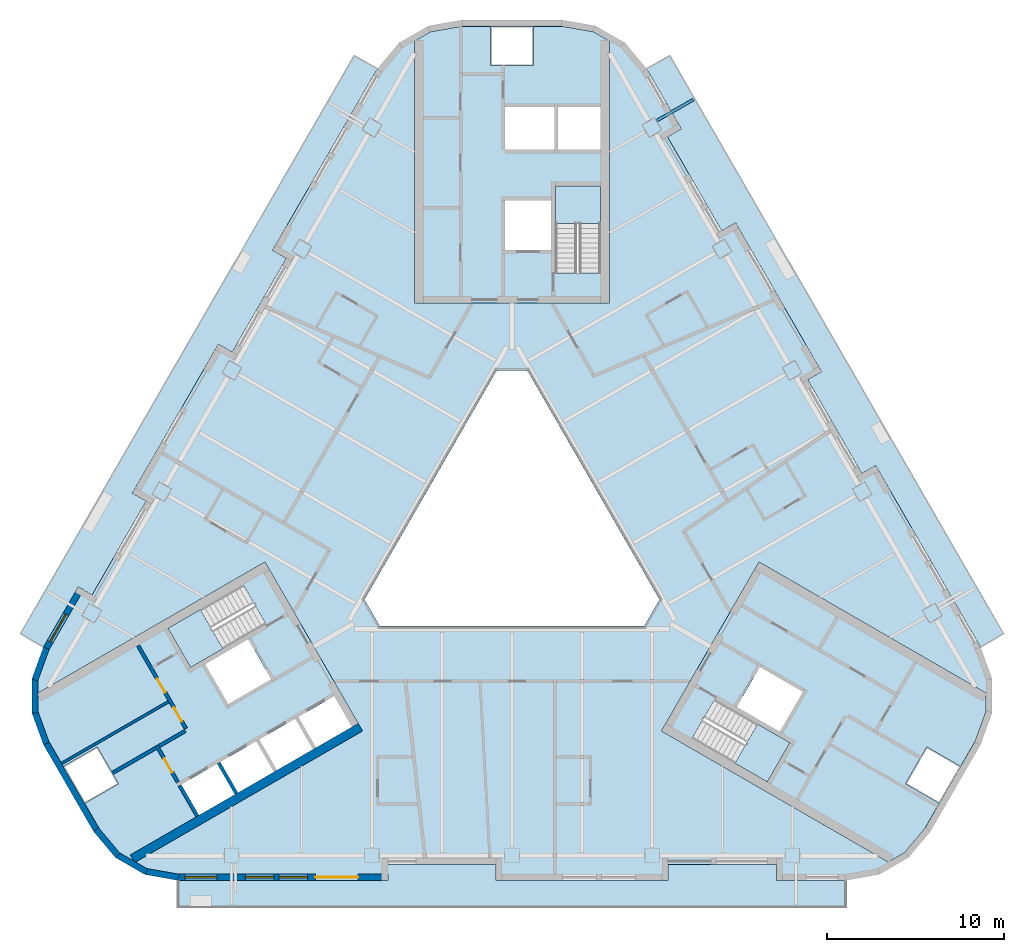
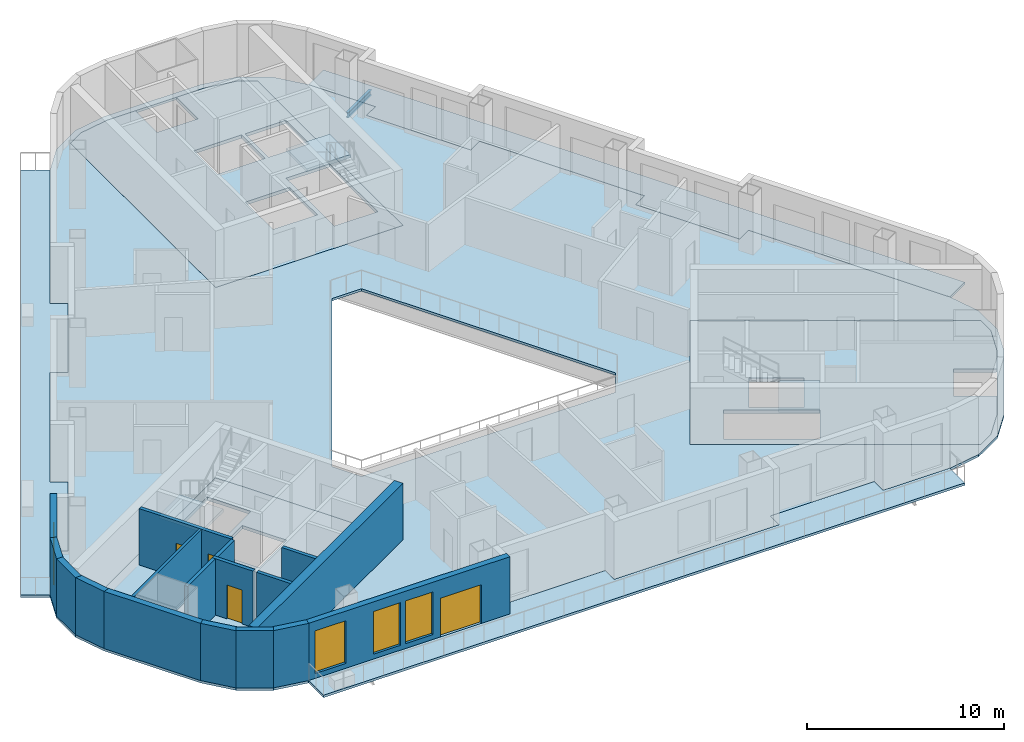
# One storey, part 2 of 13: 17 walls, 10 slabs, 4 doors, 4 windows, 1 beam, 8 openings, 3 elements without a shape of their own.
"""IFC4 building model written with IfcOpenShell, lengths in metres."""

from ifc_helpers import new_model, si_unit, direction, frame, frame_2d, origin, origin_2d, place, context, subcontext, project, spatial, polyline, rectangle, i_section, outline, extrude, material, layer, layer_set, material_profile, profile_set, type_object, element, fill, aggregate, save


model = new_model("IFC4")

# Units and contexts
model_context = context("Model", 3, precision=1e-05, world=origin(), true_north=direction((0.0, 1.0)))
body_context = subcontext(model_context, "Body", "Model", "MODEL_VIEW")
ifc_project = project(units=[si_unit("LENGTHUNIT", "METRE"), si_unit("AREAUNIT", "SQUARE_METRE"), si_unit("VOLUMEUNIT", "CUBIC_METRE"), si_unit("PLANEANGLEUNIT", "RADIAN"), si_unit("MASSUNIT", "GRAM", prefix="KILO")], contexts=[model_context])

# Site, building, storey
site_placement = place(None, origin())
site = spatial("IfcSite", under=ifc_project, at=site_placement, CompositionType="ELEMENT")
building_placement = place(site_placement, origin())
building = spatial("IfcBuilding", under=site, at=building_placement, Name="Apuvela Tower Hotel", CompositionType="ELEMENT")
storey_placement = place(building_placement, frame((0.0, 0.0, 165.10009765625)))
storey = spatial("IfcBuildingStorey", under=building, at=storey_placement, Name="L39", CompositionType="ELEMENT", Elevation=165.10009765625)

# Beam
ifc_material_1 = material(Name="Steel S355", Category="steel")
ifc_material_profile = material_profile(ifc_material_1, i_section(OverallWidth=0.159912109375, OverallDepth=0.330078125, WebThickness=0.007568359375, FlangeThickness=0.011474609375, at=origin_2d()), Name="IPE 330")
ifc_profile_set = profile_set([ifc_material_profile], Name="Steel S355")
beam_type = type_object("IfcBeamType", Name="ENV-BALCONY-BEAM-IPE330", PredefinedType="BEAM", material=ifc_profile_set)
beam_placement = place(storey_placement, frame((8.15576171875, 23.183837890625, -0.315185546875), z_axis=(0.866007538022, 0.500030943131, 0.0), x_axis=(-0.500030943131, 0.866007538022, 0.0)))
element("IfcBeam", 1, at=beam_placement, inside=storey, type_object=beam_type, Name="Balcony cantilever beam NE3 L39", PredefinedType="BEAM", context=body_context, shape_type="SweptSolid", body=[
    extrude(i_section(OverallWidth=0.159912109375, OverallDepth=0.330078125, WebThickness=0.007568359375, FlangeThickness=0.011474609375, at=origin_2d()), origin(), (0.0, 0.0, 1.0), 2.374755859375),
])

# Slabs
ifc_material_2 = material(Name="Concrete C50/60", Category="concrete")
ifc_layer_1 = layer(ifc_material_2, 0.199951171875)
ifc_layer_set_1 = layer_set([ifc_layer_1], Name="COR-FLOOR-200")
slab_type_1 = type_object("IfcSlabType", Name="COR-FLOOR-200", PredefinedType="FLOOR", material=ifc_layer_set_1)
slab_1_placement = place(storey_placement, frame((0.0, 0.0, -0.2001953125)))
element("IfcSlab", 2, at=slab_1_placement, inside=storey, type_object=slab_type_1, Name="Core floor N", PredefinedType="FLOOR", context=body_context, shape_type="SweptSolid", body=[
    extrude(outline(polyline([(5.5, 27.668212890625), (4.588623046875, 28.1943359375), (2.85498046875, 28.5), (1.199951171875, 28.5), (1.199951171875, 26.300048828125), (-1.199951171875, 26.300048828125), (-1.199951171875, 28.5), (-2.85498046875, 28.5), (-4.588623046875, 28.1943359375), (-5.5, 27.668212890625), (-5.5, 12.89990234375), (5.5, 12.89990234375), (5.5, 27.668212890625)]), holes=[polyline([(5.0, 14.60595703125), (2.449951171875, 14.60595703125), (2.449951171875, 19.5), (5.0, 19.5), (5.0, 14.60595703125)]), polyline([(2.199951171875, 15.89990234375), (-0.39990234375, 15.89990234375), (-0.39990234375, 18.699951171875), (2.199951171875, 18.699951171875), (2.199951171875, 15.89990234375)]), polyline([(5.0, 21.550048828125), (2.60009765625, 21.550048828125), (2.60009765625, 23.949951171875), (5.0, 23.949951171875), (5.0, 21.550048828125)]), polyline([(2.39990234375, 21.550048828125), (-0.39990234375, 21.550048828125), (-0.39990234375, 23.949951171875), (2.39990234375, 23.949951171875), (2.39990234375, 21.550048828125)])]), origin(), (0.0, 0.0, 1.0), 0.2001953125),
])
slab_2_placement = place(storey_placement, frame((0.0, 0.0, -0.2001953125)))
element("IfcSlab", 3, at=slab_2_placement, inside=storey, type_object=slab_type_1, Name="Core floor SW", PredefinedType="FLOOR", context=body_context, shape_type="SweptSolid", body=[
    extrude(outline(polyline([(-26.711181640625, -9.07080078125), (-26.711181640625, -10.123291015625), (-26.109375, -11.77734375), (-25.28173828125, -13.210693359375), (-23.37646484375, -12.11083984375), (-22.176513671875, -14.189208984375), (-24.081787109375, -15.289306640625), (-23.254150390625, -16.72265625), (-22.122802734375, -18.071044921875), (-21.211181640625, -18.59716796875), (-8.421630859375, -11.213134765625), (-13.921630859375, -1.68701171875), (-26.711181640625, -9.07080078125)]), holes=[polyline([(-10.01806640625, -9.248046875), (-9.01806640625, -10.97998046875), (-11.044677734375, -12.150146484375), (-12.044677734375, -10.418212890625), (-10.01806640625, -9.248046875)]), polyline([(-14.244384765625, -11.68798828125), (-12.2177734375, -10.51806640625), (-11.2177734375, -12.25), (-13.244384765625, -13.420166015625), (-14.244384765625, -11.68798828125)]), polyline([(-19.387451171875, -5.419921875), (-15.149169921875, -2.972900390625), (-13.874267578125, -5.18115234375), (-18.112548828125, -7.628173828125), (-19.387451171875, -5.419921875)]), polyline([(-14.869873046875, -6.044677734375), (-13.56982421875, -8.29638671875), (-15.99462890625, -9.6962890625), (-17.294677734375, -7.444580078125), (-14.869873046875, -6.044677734375)]), polyline([(-16.444091796875, -12.9580078125), (-14.41748046875, -11.7880859375), (-13.41748046875, -13.52001953125), (-15.444091796875, -14.690185546875), (-16.444091796875, -12.9580078125)]), polyline([(-18.643798828125, -14.22802734375), (-16.6171875, -13.05810546875), (-15.6171875, -14.7900390625), (-17.643798828125, -15.960205078125), (-18.643798828125, -14.22802734375)])]), origin(), (0.0, 0.0, 1.0), 0.2001953125),
])
slab_3_placement = place(storey_placement, frame((0.0, 0.0, -0.2001953125)))
element("IfcSlab", 4, at=slab_3_placement, inside=storey, type_object=slab_type_1, Name="Core floor SE", PredefinedType="FLOOR", context=body_context, shape_type="SweptSolid", body=[
    extrude(outline(polyline([(21.211181640625, -18.59716796875), (22.122802734375, -18.071044921875), (23.254150390625, -16.72265625), (24.081787109375, -15.289306640625), (22.176513671875, -14.189208984375), (23.37646484375, -12.11083984375), (25.28173828125, -13.210693359375), (26.109375, -11.77734375), (26.711181640625, -10.123291015625), (26.711181640625, -9.07080078125), (13.921630859375, -1.68701171875), (8.421630859375, -11.213134765625), (21.211181640625, -18.59716796875)]), holes=[polyline([(11.42431640625, -9.4248046875), (15.66259765625, -11.871826171875), (14.387451171875, -14.080078125), (10.149169921875, -11.633056640625), (11.42431640625, -9.4248046875)]), polyline([(13.9697265625, -7.603515625), (16.394775390625, -9.003662109375), (15.0947265625, -11.25537109375), (12.669921875, -9.855224609375), (13.9697265625, -7.603515625)])]), origin(), (0.0, 0.0, 1.0), 0.2001953125),
])

# Stair, slab
stair_type = type_object("IfcStairType", Name="COR-STAIR-22R", PredefinedType="HALF_TURN_STAIR", material=ifc_material_2)
stair_1_placement = place(storey_placement, origin())
stair_1 = element("IfcStair", 5, at=stair_1_placement, inside=storey, type_object=stair_type, Name="L39 Exit stair ST1", PredefinedType="HALF_TURN_STAIR")
ifc_layer_2 = layer(ifc_material_2, 0.199951171875)
ifc_layer_set_2 = layer_set([ifc_layer_2], Name="COR-LANDING-200")
slab_type_2 = type_object("IfcSlabType", Name="COR-LANDING-200", PredefinedType="LANDING", material=ifc_layer_set_2)
slab_4_placement = place(storey_placement, frame((0.0, 0.0, 1.64990234375)))
slab_4 = element("IfcSlab", 6, at=slab_4_placement, type_object=slab_type_2, Name="ST1 landing 1", PredefinedType="LANDING", context=body_context, shape_type="SweptSolid", body=[
    extrude(outline(polyline([(5.0, 17.39404296875), (5.0, 19.5), (2.449951171875, 19.5), (2.449951171875, 17.39404296875), (5.0, 17.39404296875)])), origin(), (0.0, 0.0, 1.0), 0.199951171875),
])
aggregate(stair_1, [slab_4])

stair_2_placement = place(storey_placement, origin())
stair_2 = element("IfcStair", 7, at=stair_2_placement, inside=storey, type_object=stair_type, Name="L39 Exit stair ST2", PredefinedType="HALF_TURN_STAIR")
slab_5_placement = place(storey_placement, frame((0.0, 0.0, 1.64990234375)))
slab_5 = element("IfcSlab", 8, at=slab_5_placement, type_object=slab_type_2, Name="ST2 landing 1", PredefinedType="LANDING", context=body_context, shape_type="SweptSolid", body=[
    extrude(outline(polyline([(-17.563720703125, -4.366943359375), (-19.387451171875, -5.419921875), (-18.112548828125, -7.628173828125), (-16.28857421875, -6.5751953125), (-17.563720703125, -4.366943359375)])), origin(), (0.0, 0.0, 1.0), 0.199951171875),
])
aggregate(stair_2, [slab_5])

stair_3_placement = place(storey_placement, origin())
stair_3 = element("IfcStair", 9, at=stair_3_placement, inside=storey, type_object=stair_type, Name="L39 Exit stair ST3", PredefinedType="HALF_TURN_STAIR")
slab_6_placement = place(storey_placement, frame((0.0, 0.0, 1.64990234375)))
slab_6 = element("IfcSlab", 10, at=slab_6_placement, type_object=slab_type_2, Name="ST3 landing 1", PredefinedType="LANDING", context=body_context, shape_type="SweptSolid", body=[
    extrude(outline(polyline([(12.563720703125, -13.027099609375), (14.387451171875, -14.080078125), (15.66259765625, -11.871826171875), (13.838623046875, -10.81884765625), (12.563720703125, -13.027099609375)])), origin(), (0.0, 0.0, 1.0), 0.199951171875),
])
aggregate(stair_3, [slab_6])

# Slabs
ifc_material_3 = material(Name="Concrete C40/50, fair-faced", Category="concrete")
ifc_layer_3 = layer(ifc_material_3, 0.14990234375)
ifc_layer_set_3 = layer_set([ifc_layer_3], Name="ENV-BALCONY-150")
slab_type_3 = type_object("IfcSlabType", Name="ENV-BALCONY-150", PredefinedType="FLOOR", material=ifc_layer_set_3)
slab_7_placement = place(storey_placement, frame((0.0, 0.0, -0.150146484375)))
element("IfcSlab", 11, at=slab_7_placement, inside=storey, type_object=slab_type_3, Name="Balcony slab S L39", PredefinedType="FLOOR", context=body_context, shape_type="SweptSolid", body=[
    extrude(outline(polyline([(18.82080078125, -21.135009765625), (-18.82080078125, -21.135009765625), (-18.82080078125, -19.625), (-7.0048828125, -19.625), (-7.0048828125, -18.72509765625), (-0.89501953125, -18.72509765625), (-0.89501953125, -19.625), (8.794921875, -19.625), (8.794921875, -18.72509765625), (14.905029296875, -18.72509765625), (14.905029296875, -19.625), (18.82080078125, -19.625), (18.82080078125, -21.135009765625)])), origin(), (0.0, 0.0, 1.0), 0.150146484375),
])
slab_8_placement = place(storey_placement, frame((0.0, 0.0, -0.150146484375)))
element("IfcSlab", 12, at=slab_8_placement, inside=storey, type_object=slab_type_3, Name="Balcony slab NE L39", PredefinedType="FLOOR", context=body_context, shape_type="SweptSolid", body=[
    extrude(outline(polyline([(17.443359375, 9.037353515625), (12.598388671875, 17.42919921875), (11.81884765625, 16.979248046875), (8.763916015625, 22.2705078125), (9.543212890625, 22.720703125), (7.585205078125, 26.11181640625), (8.89306640625, 26.86669921875), (27.7138671875, -5.731689453125), (26.40625, -6.48681640625), (20.498291015625, 3.74609375), (19.71875, 3.2958984375), (16.663818359375, 8.58740234375), (17.443359375, 9.037353515625)])), origin(), (0.0, 0.0, 1.0), 0.150146484375),
])
slab_9_placement = place(storey_placement, frame((0.0, 0.0, -0.150146484375)))
element("IfcSlab", 13, at=slab_9_placement, inside=storey, type_object=slab_type_3, Name="Balcony slab NW L39", PredefinedType="FLOOR", context=body_context, shape_type="SweptSolid", body=[
    extrude(outline(polyline([(-27.7138671875, -5.731689453125), (-8.89306640625, 26.86669921875), (-7.585205078125, 26.11181640625), (-13.4931640625, 15.87890625), (-12.7138671875, 15.428955078125), (-15.768798828125, 10.1376953125), (-16.548095703125, 10.587646484375), (-21.393310546875, 2.19580078125), (-20.61376953125, 1.745849609375), (-23.668701171875, -3.545654296875), (-24.4482421875, -3.095703125), (-26.40625, -6.48681640625), (-27.7138671875, -5.731689453125)])), origin(), (0.0, 0.0, 1.0), 0.150146484375),
])
ifc_material_4 = material(Name="Concrete C35/45", Category="concrete")
ifc_layer_4 = layer(ifc_material_4, 0.14990234375)
ifc_layer_set_4 = layer_set([ifc_layer_4], Name="STR-SLAB 150 floor Concrete C35/45")
slab_type_4 = type_object("IfcSlabType", Name="STR-SLAB 150 floor Concrete C35/45", PredefinedType="FLOOR", material=ifc_layer_set_4)
slab_10_placement = place(storey_placement, frame((0.0, 0.0, -0.150146484375)))
element("IfcSlab", 14, at=slab_10_placement, inside=storey, type_object=slab_type_4, Name="Floor slab S4 L39", PredefinedType="FLOOR", context=body_context, shape_type="SweptSolid", body=[
    extrude(outline(polyline([(-6.3642578125, 27.5732421875), (-4.710205078125, 28.5283203125), (-2.8291015625, 28.860107421875), (2.8291015625, 28.860107421875), (4.710205078125, 28.5283203125), (6.3642578125, 27.5732421875), (7.59228515625, 26.110107421875), (9.550048828125, 22.71875), (8.770751953125, 22.268798828125), (11.82080078125, 16.986083984375), (12.60009765625, 17.43603515625), (17.4501953125, 9.035400390625), (16.670654296875, 8.58544921875), (19.720703125, 3.302734375), (20.5, 3.752685546875), (26.407958984375, -6.47998046875), (27.061279296875, -8.27490234375), (27.061279296875, -10.18505859375), (26.407958984375, -11.97998046875), (23.5791015625, -16.8798828125), (22.351318359375, -18.34326171875), (20.697021484375, -19.29833984375), (18.81591796875, -19.6298828125), (14.89990234375, -19.6298828125), (14.89990234375, -18.72998046875), (8.800048828125, -18.72998046875), (8.800048828125, -19.6298828125), (-0.89990234375, -19.6298828125), (-0.89990234375, -18.72998046875), (-7.0, -18.72998046875), (-7.0, -19.6298828125), (-18.81591796875, -19.6298828125), (-20.697021484375, -19.29833984375), (-22.351318359375, -18.34326171875), (-23.5791015625, -16.8798828125), (-26.407958984375, -11.97998046875), (-27.061279296875, -10.18505859375), (-27.061279296875, -8.27490234375), (-26.407958984375, -6.47998046875), (-24.4501953125, -3.088623046875), (-23.670654296875, -3.538818359375), (-20.62060546875, 1.743896484375), (-21.400146484375, 2.194091796875), (-16.550048828125, 10.594482421875), (-15.7705078125, 10.14453125), (-12.720703125, 15.42724609375), (-13.5, 15.877197265625), (-7.59228515625, 26.110107421875), (-6.3642578125, 27.5732421875)]), holes=[polyline([(0.865966796875, 9.10009765625), (-0.865966796875, 9.10009765625), (-8.313720703125, -3.800048828125), (-7.44775390625, -5.300048828125), (7.44775390625, -5.300048828125), (8.313720703125, -3.800048828125), (0.865966796875, 9.10009765625)]), polyline([(-5.5, 12.89990234375), (-5.5, 27.668212890625), (-4.588623046875, 28.1943359375), (-2.85498046875, 28.5), (2.85498046875, 28.5), (4.588623046875, 28.1943359375), (5.5, 27.668212890625), (5.5, 12.89990234375), (-5.5, 12.89990234375)]), polyline([(-8.421630859375, -11.213134765625), (-21.211181640625, -18.59716796875), (-22.122802734375, -18.071044921875), (-23.254150390625, -16.72265625), (-26.109375, -11.77734375), (-26.711181640625, -10.123291015625), (-26.711181640625, -9.07080078125), (-13.921630859375, -1.68701171875), (-8.421630859375, -11.213134765625)]), polyline([(13.921630859375, -1.68701171875), (26.711181640625, -9.07080078125), (26.711181640625, -10.123291015625), (26.109375, -11.77734375), (23.254150390625, -16.72265625), (22.122802734375, -18.071044921875), (21.211181640625, -18.59716796875), (8.421630859375, -11.213134765625), (13.921630859375, -1.68701171875)])]), origin(), (0.0, 0.0, 1.0), 0.150146484375),
])

# Walls
ifc_layer_5 = layer(ifc_material_2, 0.5)
ifc_layer_set_5 = layer_set([ifc_layer_5], Name="COR-WALL-CORE-500")
wall_type_1 = type_object("IfcWallType", Name="COR-WALL-CORE-500", PredefinedType="SHEAR", material=ifc_layer_set_5)
wall_1_placement = place(storey_placement, frame((-8.546630859375, -10.99658203125, 0.0), z_axis=(0.0, 0.0, 1.0), x_axis=(-0.866025009528, -0.500000682871, 0.0)))
element("IfcWall", 15, at=wall_1_placement, inside=storey, type_object=wall_type_1, Name="Core wall SW", PredefinedType="SHEAR", context=body_context, shape_type="SweptSolid", body=[
    extrude(rectangle(XDim=14.8369140625, YDim=0.5, at=frame_2d((7.41845703125, 0.0))), origin(), (0.0, 0.0, 1.0), 3.5),
])
ifc_material_5 = material(Name="Blockwork 150 mm plastered", Category="masonry")
ifc_layer_6 = layer(ifc_material_5, 0.14990234375)
ifc_layer_set_6 = layer_set([ifc_layer_6], Name="COR-WALL-PART-150")
wall_type_2 = type_object("IfcWallType", Name="COR-WALL-PART-150", PredefinedType="PARTITIONING", material=ifc_layer_set_6)
wall_2_placement = place(storey_placement, frame((-19.36279296875, -9.5625, 0.0), z_axis=(0.0, 0.0, 1.0), x_axis=(-0.866016523273, -0.500015381182, 0.0)))
element("IfcWall", 16, at=wall_2_placement, inside=storey, type_object=wall_type_2, Name="Partition SW", PredefinedType="PARTITIONING", context=body_context, shape_type="SweptSolid", body=[
    extrude(rectangle(XDim=6.949951171875, YDim=0.14990234375, at=frame_2d((3.47509765625, 0.0))), origin(), (0.0, 0.0, 1.0), 3.5),
])

# Wall, openings, doors
ifc_material_6 = material(Name="Blockwork 200 mm plastered", Category="masonry")
ifc_layer_7 = layer(ifc_material_6, 0.199951171875)
ifc_layer_set_7 = layer_set([ifc_layer_7], Name="COR-WALL-PART-200")
wall_type_3 = type_object("IfcWallType", Name="COR-WALL-PART-200", PredefinedType="PARTITIONING", material=ifc_layer_set_7)
wall_3_placement = place(storey_placement, frame((-21.076171875, -6.39501953125, 0.0), z_axis=(0.0, 0.0, 1.0), x_axis=(0.50001468107, -0.866016927499, 0.0)))
wall_3 = element("IfcWall", 17, at=wall_3_placement, inside=storey, type_object=wall_type_3, Name="Partition SW", PredefinedType="PARTITIONING", context=body_context, shape_type="SweptSolid", body=[
    extrude(rectangle(XDim=5.399658203125, YDim=0.199951171875, at=frame_2d((2.69970703125, 0.0))), origin(), (0.0, 0.0, 1.0), 3.5),
])
opening_1_placement = place(wall_3_placement, frame((2.16259765625, 0.0, 0.0)))
opening_1 = element("IfcOpeningElement", 18, at=opening_1_placement, cuts=wall_3, Name="Opening W-RS1", PredefinedType="OPENING", context=body_context, shape_type="SweptSolid", body=[
    extrude(rectangle(XDim=0.89990234375, YDim=2.10009765625, at=frame_2d((0.449951171875, 1.050048828125))), frame((0.0, 0.10986328125, 0.0), z_axis=(0.0, -1.0, 0.0), x_axis=(1.0, 0.0, 0.0)), (0.0, 0.0, 1.0), 0.219970703125),
])
opening_2_placement = place(wall_3_placement, frame((4.03759765625, 0.0, 0.0)))
opening_2 = element("IfcOpeningElement", 19, at=opening_2_placement, cuts=wall_3, Name="Opening W-RS2", PredefinedType="OPENING", context=body_context, shape_type="SweptSolid", body=[
    extrude(rectangle(XDim=0.89990234375, YDim=2.10009765625, at=frame_2d((0.449951171875, 1.050048828125))), frame((0.0, 0.10986328125, 0.0), z_axis=(0.0, -1.0, 0.0), x_axis=(1.0, 0.0, 0.0)), (0.0, 0.0, 1.0), 0.219970703125),
])
ifc_material_7 = material(Name="Steel fire door, powder coated", Category="steel")
door_type_1 = type_object("IfcDoorType", Name="COR-DR-900", OperationType="NOTDEFINED", PredefinedType="DOOR", material=ifc_material_7)
door_1_placement = place(opening_1_placement, frame((0.89990234375, 0.0, 0.0), z_axis=(0.0, 0.0, 1.0), x_axis=(-1.0, 0.0, 0.0)))
door_1 = element("IfcDoor", 20, at=door_1_placement, inside=storey, type_object=door_type_1, Name="Store door W-RS1", OperationType="SINGLE_SWING_LEFT", OverallHeight=2.10009765625, OverallWidth=0.89990234375, PredefinedType="DOOR", context=body_context, shape_type="SweptSolid", body=[
    extrude(rectangle(XDim=0.89990234375, YDim=2.10009765625, at=frame_2d((0.449951171875, 1.050048828125))), frame((0.0, 0.02490234375, 0.0), z_axis=(0.0, -1.0, 0.0), x_axis=(1.0, 0.0, 0.0)), (0.0, 0.0, 1.0), 0.050048828125),
])
fill(opening_1, door_1)
door_2_placement = place(opening_2_placement, frame((0.89990234375, 0.0, 0.0), z_axis=(0.0, 0.0, 1.0), x_axis=(-1.0, 0.0, 0.0)))
door_2 = element("IfcDoor", 21, at=door_2_placement, inside=storey, type_object=door_type_1, Name="Store door W-RS2", OperationType="SINGLE_SWING_LEFT", OverallHeight=2.10009765625, OverallWidth=0.89990234375, PredefinedType="DOOR", context=body_context, shape_type="SweptSolid", body=[
    extrude(rectangle(XDim=0.89990234375, YDim=2.10009765625, at=frame_2d((0.449951171875, 1.050048828125))), frame((0.0, 0.02490234375, 0.0), z_axis=(0.0, -1.0, 0.0), x_axis=(1.0, 0.0, 0.0)), (0.0, 0.0, 1.0), 0.050048828125),
])
fill(opening_2, door_2)

# Wall, opening, door
ifc_layer_8 = layer(ifc_material_2, 0.199951171875)
ifc_layer_set_8 = layer_set([ifc_layer_8], Name="COR-WALL-SHAFT-200")
wall_type_4 = type_object("IfcWallType", Name="COR-WALL-SHAFT-200", PredefinedType="SHEAR", material=ifc_layer_set_8)
wall_4_placement = place(storey_placement, frame((-20.030517578125, -12.0263671875, 0.0), z_axis=(0.0, 0.0, 1.0), x_axis=(0.500033551112, -0.866006032174, 0.0)))
wall_4 = element("IfcWall", 22, at=wall_4_placement, inside=storey, type_object=wall_type_4, Name="Shaft wall SW", PredefinedType="SHEAR", context=body_context, shape_type="SweptSolid", body=[
    extrude(rectangle(XDim=2.400146484375, YDim=0.199951171875, at=frame_2d((1.2001953125, 0.0))), origin(), (0.0, 0.0, 1.0), 3.5),
])
opening_3_placement = place(wall_4_placement, frame((0.85009765625, 0.0, 0.0)))
opening_3 = element("IfcOpeningElement", 23, at=opening_3_placement, cuts=wall_4, Name="Opening W-REP", PredefinedType="OPENING", context=body_context, shape_type="SweptSolid", body=[
    extrude(rectangle(XDim=0.89990234375, YDim=2.10009765625, at=frame_2d((0.449951171875, 1.050048828125))), frame((0.0, 0.10986328125, 0.0), z_axis=(0.0, -1.0, 0.0), x_axis=(1.0, 0.0, 0.0)), (0.0, 0.0, 1.0), 0.219970703125),
])
door_3_placement = place(opening_3_placement, frame((0.89990234375, 0.0, 0.0), z_axis=(0.0, 0.0, 1.0), x_axis=(-1.0, 0.0, 0.0)))
door_3 = element("IfcDoor", 24, at=door_3_placement, inside=storey, type_object=door_type_1, Name="Store door W-REP", OperationType="SINGLE_SWING_LEFT", OverallHeight=2.10009765625, OverallWidth=0.89990234375, PredefinedType="DOOR", context=body_context, shape_type="SweptSolid", body=[
    extrude(rectangle(XDim=0.89990234375, YDim=2.10009765625, at=frame_2d((0.449951171875, 1.050048828125))), frame((0.0, 0.02490234375, 0.0), z_axis=(0.0, -1.0, 0.0), x_axis=(1.0, 0.0, 0.0)), (0.0, 0.0, 1.0), 0.050048828125),
])
fill(opening_3, door_3)

# Walls
wall_5_placement = place(storey_placement, frame((-18.412841796875, -11.2080078125, 0.0), z_axis=(0.0, 0.0, 1.0), x_axis=(-0.866038183914, -0.499977863513, 0.0)))
element("IfcWall", 25, at=wall_5_placement, inside=storey, type_object=wall_type_4, Name="Shaft wall SW", PredefinedType="SHEAR", context=body_context, shape_type="SweptSolid", body=[
    extrude(rectangle(XDim=1.7099609375, YDim=0.199951171875, at=frame_2d((0.85498046875, 0.0))), origin(), (0.0, 0.0, 1.0), 3.5),
])
for number, where, z_axis, x_axis, name in (
    (26, (-16.530517578125, -13.008056640625, 0.0), (0.0, 0.0, 1.0), (0.50002537861, -0.866010750942, 0.0), "Shaft wall SW"),
    (27, (-18.73046875, -14.278076171875, 0.0), (0.0, 0.0, 1.0), (0.50002537861, -0.866010750942, 0.0), "Shaft wall SW"),
):
    element("IfcWall", number, at=place(storey_placement, frame(where, z_axis=z_axis, x_axis=x_axis)), inside=storey, type_object=wall_type_4, Name=name, PredefinedType="SHEAR", context=body_context, shape_type="SweptSolid", body=[
        extrude(rectangle(XDim=2.0, YDim=0.199951171875, at=frame_2d((1.0, 0.0))), origin(), (0.0, 0.0, 1.0), 3.5),
    ])
wall_6_placement = place(storey_placement, frame((-20.06689453125, -12.1630859375, 0.0), z_axis=(0.0, 0.0, 1.0), x_axis=(-0.866055327414, -0.49994816717, 0.0)))
element("IfcWall", 28, at=wall_6_placement, inside=storey, type_object=wall_type_4, Name="Shaft wall SW", PredefinedType="SHEAR", context=body_context, shape_type="SweptSolid", body=[
    extrude(rectangle(XDim=2.840087890625, YDim=0.199951171875, at=frame_2d((1.419921875, 0.0))), origin(), (0.0, 0.0, 1.0), 3.5),
])

# Wall, opening, window
ifc_material_8 = material(Name="Concrete C40/50, dark pigmented precast panel", Category="concrete")
ifc_layer_9 = layer(ifc_material_8, 0.35009765625)
ifc_layer_set_9 = layer_set([ifc_layer_9], Name="ENV-WALL-350")
wall_type_5 = type_object("IfcWallType", Name="ENV-WALL-350", PredefinedType="SOLIDWALL", material=ifc_layer_set_9)
wall_7_placement = place(storey_placement, frame((-24.298583984375, -3.17626953125, 0.0), z_axis=(0.0, 0.0, 1.0), x_axis=(-0.500028278809, -0.866009076391, 0.0)))
wall_7 = element("IfcWall", 29, at=wall_7_placement, inside=storey, type_object=wall_type_5, Name="External wall L39-09", PredefinedType="SOLIDWALL", context=body_context, shape_type="SweptSolid", body=[
    extrude(rectangle(XDim=3.915771484375, YDim=0.35009765625, at=frame_2d((1.9580078125, 0.0))), origin(), (0.0, 0.0, 1.0), 3.5498046875),
])
opening_4_placement = place(wall_7_placement, frame((1.675048828125, 0.0, 0.300048828125)))
opening_4 = element("IfcOpeningElement", 30, at=opening_4_placement, cuts=wall_7, Name="Opening WN18", PredefinedType="OPENING", context=body_context, shape_type="SweptSolid", body=[
    extrude(rectangle(XDim=1.800048828125, YDim=2.64990234375, at=frame_2d((0.89990234375, 1.324951171875))), frame((0.0, 0.18505859375, 0.0), z_axis=(0.0, -1.0, 0.0), x_axis=(1.0, 0.0, 0.0)), (0.0, 0.0, 1.0), 0.3701171875),
])
ifc_material_9 = material(Name="Glass, dark tinted laminated insulated glazing unit", Category="glass")
window_type_1 = type_object("IfcWindowType", Name="ENV-WIN-1800x2650", PartitioningType="SINGLE_PANEL", PredefinedType="WINDOW", material=ifc_material_9)
window_1_placement = place(opening_4_placement, origin())
window_1 = element("IfcWindow", 31, at=window_1_placement, inside=storey, type_object=window_type_1, Name="Window WN18", OverallHeight=2.64990234375, OverallWidth=1.800048828125, PartitioningType="SINGLE_PANEL", PredefinedType="WINDOW", context=body_context, shape_type="SweptSolid", body=[
    extrude(rectangle(XDim=1.800048828125, YDim=2.64990234375, at=frame_2d((0.89990234375, 1.324951171875))), frame((0.0, 0.030029296875, 0.0), z_axis=(0.0, -1.0, 0.0), x_axis=(1.0, 0.0, 0.0)), (0.0, 0.0, 1.0), 0.06005859375),
])
fill(opening_4, window_1)

# Walls
for number, where, z_axis, x_axis, name in (
    (32, (-26.24365234375, -6.539794921875, 0.0), (0.0, 0.0, 1.0), (-0.342030395486, -0.939688889242, 0.0), "External wall L39-10"),
    (33, (-26.88623046875, -8.27490234375, 0.0), (0.0, 0.0, 1.0), (0.0, -1.0, 0.0), "External wall L39-11"),
    (34, (-26.89697265625, -10.125244140625, 0.0), (0.0, 0.0, 1.0), (0.342030395486, -0.939688889242, 0.0), "External wall L39-12"),
):
    element("IfcWall", number, at=place(storey_placement, frame(where, z_axis=z_axis, x_axis=x_axis)), inside=storey, type_object=wall_type_5, Name=name, PredefinedType="SOLIDWALL", context=body_context, shape_type="SweptSolid", body=[
        extrude(rectangle(XDim=1.91015625, YDim=0.35009765625, at=frame_2d((0.955078125, 0.0))), origin(), (0.0, 0.0, 1.0), 3.5498046875),
    ])
wall_8_placement = place(storey_placement, frame((-26.256591796875, -11.892578125, 0.0), z_axis=(0.0, 0.0, 1.0), x_axis=(0.500018773155, -0.866014564827, 0.0)))
element("IfcWall", 35, at=wall_8_placement, inside=storey, type_object=wall_type_5, Name="External wall L39-13", PredefinedType="SOLIDWALL", context=body_context, shape_type="SweptSolid", body=[
    extrude(rectangle(XDim=5.657958984375, YDim=0.35009765625, at=frame_2d((2.8291015625, 0.0))), origin(), (0.0, 0.0, 1.0), 3.5498046875),
])
for number, where, z_axis, x_axis, name in (
    (36, (-23.44482421875, -16.767578125, 0.0), (0.0, 0.0, 1.0), (0.642733291068, -0.76609001857, 0.0), "External wall L39-14"),
    (37, (-22.263671875, -18.191650390625, 0.0), (0.0, 0.0, 1.0), (0.866000389056, -0.500043324278, 0.0), "External wall L39-15"),
):
    element("IfcWall", number, at=place(storey_placement, frame(where, z_axis=z_axis, x_axis=x_axis)), inside=storey, type_object=wall_type_5, Name=name, PredefinedType="SOLIDWALL", context=body_context, shape_type="SweptSolid", body=[
        extrude(rectangle(XDim=1.909912109375, YDim=0.35009765625, at=frame_2d((0.955078125, 0.0))), origin(), (0.0, 0.0, 1.0), 3.5498046875),
    ])
wall_9_placement = place(storey_placement, frame((-20.66650390625, -19.1259765625, 0.0), z_axis=(0.0, 0.0, 1.0), x_axis=(0.984798995425, -0.173697837091, 0.0)))
element("IfcWall", 38, at=wall_9_placement, inside=storey, type_object=wall_type_5, Name="External wall L39-16", PredefinedType="SOLIDWALL", context=body_context, shape_type="SweptSolid", body=[
    extrude(rectangle(XDim=1.91015625, YDim=0.35009765625, at=frame_2d((0.955078125, 0.0))), origin(), (0.0, 0.0, 1.0), 3.5498046875),
])

# Wall, openings, door, windows
wall_10_placement = place(storey_placement, frame((-18.81591796875, -19.455078125, 0.0), z_axis=(0.0, 0.0, 1.0), x_axis=(1.0, 0.0, 0.0)))
wall_10 = element("IfcWall", 39, at=wall_10_placement, inside=storey, type_object=wall_type_5, Name="External wall L39-17", PredefinedType="SOLIDWALL", context=body_context, shape_type="SweptSolid", body=[
    extrude(rectangle(XDim=11.81591796875, YDim=0.35009765625, at=frame_2d((5.907958984375, 0.0))), origin(), (0.0, 0.0, 1.0), 3.5498046875),
])
opening_5_placement = place(wall_10_placement, frame((0.380615234375, 0.0, 0.300048828125)))
opening_5 = element("IfcOpeningElement", 40, at=opening_5_placement, cuts=wall_10, Name="Opening WN18", PredefinedType="OPENING", context=body_context, shape_type="SweptSolid", body=[
    extrude(rectangle(XDim=1.800048828125, YDim=2.64990234375, at=frame_2d((0.89990234375, 1.324951171875))), frame((0.0, 0.18505859375, 0.0), z_axis=(0.0, -1.0, 0.0), x_axis=(1.0, 0.0, 0.0)), (0.0, 0.0, 1.0), 0.3701171875),
])
opening_6_placement = place(wall_10_placement, frame((7.740478515625, 0.0, 0.0)))
opening_6 = element("IfcOpeningElement", 41, at=opening_6_placement, cuts=wall_10, Name="Opening BD24", PredefinedType="OPENING", context=body_context, shape_type="SweptSolid", body=[
    extrude(rectangle(XDim=2.39990234375, YDim=2.39990234375, at=frame_2d((1.199951171875, 1.199951171875))), frame((0.0, 0.18505859375, 0.0), z_axis=(0.0, -1.0, 0.0), x_axis=(1.0, 0.0, 0.0)), (0.0, 0.0, 1.0), 0.3701171875),
])
opening_7_placement = place(wall_10_placement, frame((3.790771484375, 0.0, 0.300048828125)))
opening_7 = element("IfcOpeningElement", 42, at=opening_7_placement, cuts=wall_10, Name="Opening WN16", PredefinedType="OPENING", context=body_context, shape_type="SweptSolid", body=[
    extrude(rectangle(XDim=1.60009765625, YDim=2.64990234375, at=frame_2d((0.800048828125, 1.324951171875))), frame((0.0, 0.18505859375, 0.0), z_axis=(0.0, -1.0, 0.0), x_axis=(1.0, 0.0, 0.0)), (0.0, 0.0, 1.0), 0.3701171875),
])
opening_8_placement = place(wall_10_placement, frame((5.69091796875, 0.0, 0.300048828125)))
opening_8 = element("IfcOpeningElement", 43, at=opening_8_placement, cuts=wall_10, Name="Opening WN16", PredefinedType="OPENING", context=body_context, shape_type="SweptSolid", body=[
    extrude(rectangle(XDim=1.60009765625, YDim=2.64990234375, at=frame_2d((0.800048828125, 1.324951171875))), frame((0.0, 0.18505859375, 0.0), z_axis=(0.0, -1.0, 0.0), x_axis=(1.0, 0.0, 0.0)), (0.0, 0.0, 1.0), 0.3701171875),
])
ifc_material_10 = material(Name="Aluminium 6063-T6, dark bronze anodised frame with dark tinted laminated glass", Category="aluminium")
door_type_2 = type_object("IfcDoorType", Name="ENV-DOOR-BALCONY-2400x2400", OperationType="SLIDING_TO_LEFT", PredefinedType="DOOR", material=ifc_material_10)
door_4_placement = place(opening_6_placement, frame((2.39990234375, 0.0, 0.0), z_axis=(0.0, 0.0, 1.0), x_axis=(-1.0, 0.0, 0.0)))
door_4 = element("IfcDoor", 44, at=door_4_placement, inside=storey, type_object=door_type_2, Name="Balcony door BD24", OperationType="SLIDING_TO_LEFT", OverallHeight=2.39990234375, OverallWidth=2.39990234375, PredefinedType="DOOR", context=body_context, shape_type="SweptSolid", body=[
    extrude(rectangle(XDim=2.39990234375, YDim=2.39990234375, at=frame_2d((1.199951171875, 1.199951171875))), frame((0.0, 0.02490234375, 0.0), z_axis=(0.0, -1.0, 0.0), x_axis=(1.0, 0.0, 0.0)), (0.0, 0.0, 1.0), 0.050048828125),
])
fill(opening_6, door_4)
window_type_2 = type_object("IfcWindowType", Name="ENV-WIN-1600x2650", PartitioningType="SINGLE_PANEL", PredefinedType="WINDOW", material=ifc_material_9)
window_2_placement = place(opening_7_placement, origin())
window_2 = element("IfcWindow", 45, at=window_2_placement, inside=storey, type_object=window_type_2, Name="Window WN16", OverallHeight=2.64990234375, OverallWidth=1.60009765625, PartitioningType="SINGLE_PANEL", PredefinedType="WINDOW", context=body_context, shape_type="SweptSolid", body=[
    extrude(rectangle(XDim=1.60009765625, YDim=2.64990234375, at=frame_2d((0.800048828125, 1.324951171875))), frame((0.0, 0.030029296875, 0.0), z_axis=(0.0, -1.0, 0.0), x_axis=(1.0, 0.0, 0.0)), (0.0, 0.0, 1.0), 0.06005859375),
])
fill(opening_7, window_2)
window_3_placement = place(opening_8_placement, origin())
window_3 = element("IfcWindow", 46, at=window_3_placement, inside=storey, type_object=window_type_2, Name="Window WN16", OverallHeight=2.64990234375, OverallWidth=1.60009765625, PartitioningType="SINGLE_PANEL", PredefinedType="WINDOW", context=body_context, shape_type="SweptSolid", body=[
    extrude(rectangle(XDim=1.60009765625, YDim=2.64990234375, at=frame_2d((0.800048828125, 1.324951171875))), frame((0.0, 0.030029296875, 0.0), z_axis=(0.0, -1.0, 0.0), x_axis=(1.0, 0.0, 0.0)), (0.0, 0.0, 1.0), 0.06005859375),
])
fill(opening_8, window_3)
window_4_placement = place(opening_5_placement, origin())
window_4 = element("IfcWindow", 47, at=window_4_placement, inside=storey, type_object=window_type_1, Name="Window WN18", OverallHeight=2.64990234375, OverallWidth=1.800048828125, PartitioningType="SINGLE_PANEL", PredefinedType="WINDOW", context=body_context, shape_type="SweptSolid", body=[
    extrude(rectangle(XDim=1.800048828125, YDim=2.64990234375, at=frame_2d((0.89990234375, 1.324951171875))), frame((0.0, 0.030029296875, 0.0), z_axis=(0.0, -1.0, 0.0), x_axis=(1.0, 0.0, 0.0)), (0.0, 0.0, 1.0), 0.06005859375),
])
fill(opening_5, window_4)

save(model, "model.ifc")
